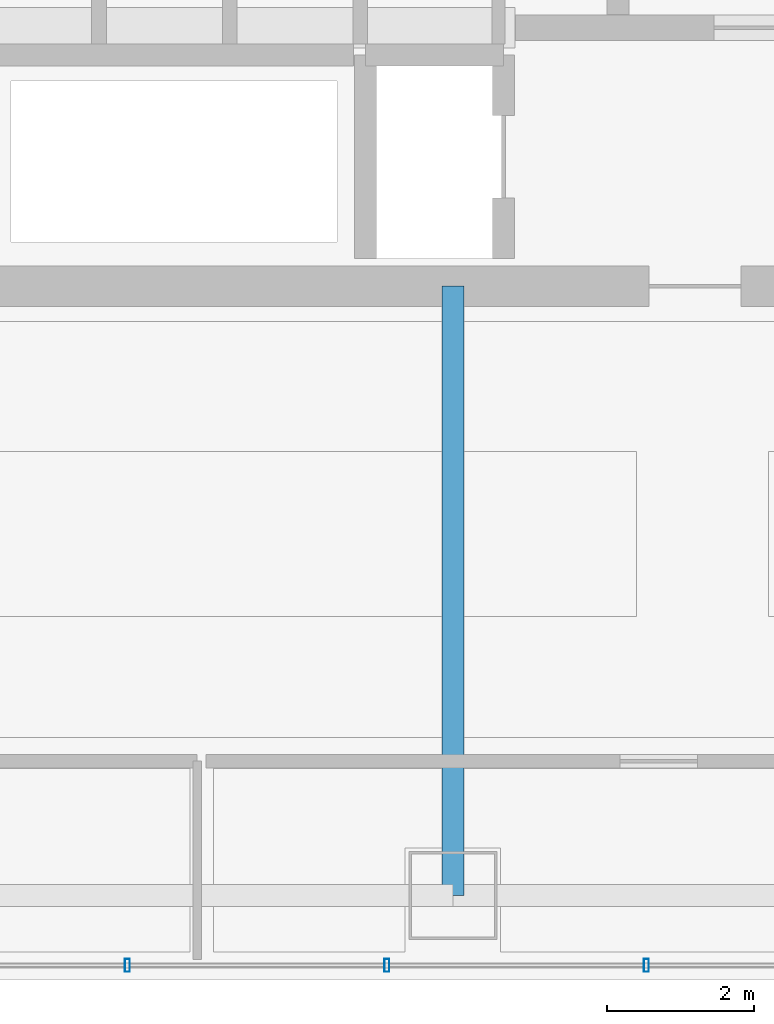
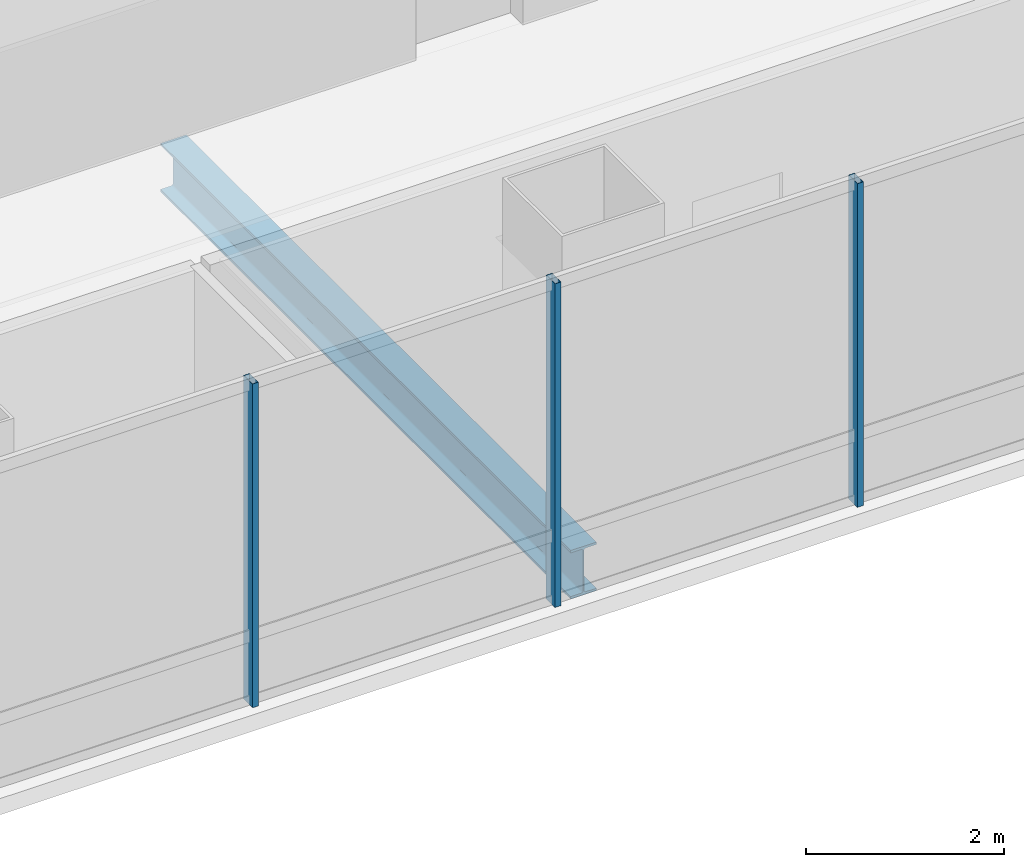
# One storey, part 9 of 41: 3 members, 1 beam, 1 element without a shape of its own.
"""IFC4 building model written with IfcOpenShell, lengths in metres."""

from ifc_helpers import new_model, si_unit, direction, frame, origin, origin_2d, place, context, subcontext, project, spatial, hollow_rectangle, i_section, extrude, material, material_profile, profile_set, type_object, element, aggregate, save


model = new_model("IFC4")

# Units and contexts
model_context = context("Model", 3, precision=1e-05, world=origin(), true_north=direction((0.0, 1.0)))
body_context = subcontext(model_context, "Body", "Model", "MODEL_VIEW")
ifc_project = project(units=[si_unit("LENGTHUNIT", "METRE"), si_unit("AREAUNIT", "SQUARE_METRE"), si_unit("VOLUMEUNIT", "CUBIC_METRE"), si_unit("PLANEANGLEUNIT", "RADIAN"), si_unit("MASSUNIT", "GRAM", prefix="KILO")], contexts=[model_context])

# Site, building, storey
site_placement = place(None, origin())
site = spatial("IfcSite", under=ifc_project, at=site_placement, CompositionType="ELEMENT")
building_placement = place(site_placement, origin())
building = spatial("IfcBuilding", under=site, at=building_placement, Name="Punatoya Terracotta Tower", CompositionType="ELEMENT")
storey_placement = place(building_placement, frame((0.0, 0.0, 288.0)))
storey = spatial("IfcBuildingStorey", under=building, at=storey_placement, Name="L68", CompositionType="ELEMENT", Elevation=288.0)

# Beam
ifc_material_1 = material(Name="Steel S355", Category="steel")
ifc_material_profile_1 = material_profile(ifc_material_1, i_section(OverallWidth=0.300048828125, OverallDepth=0.60009765625, WebThickness=0.015380859375, FlangeThickness=0.030029296875, FilletRadius=0.01806640625, at=origin_2d()))
ifc_profile_set_1 = profile_set([ifc_material_profile_1], Name="Steel S355")
beam_type = type_object("IfcBeamType", Name="BM-PRI-600", PredefinedType="BEAM", material=ifc_profile_set_1)
beam_placement = place(storey_placement, frame((3.800048828125, -17.5, -0.5), z_axis=(0.0, 1.0, 0.0), x_axis=(-1.0, 0.0, 0.0)))
element("IfcBeam", 1, at=beam_placement, inside=storey, type_object=beam_type, Name="BM-L68-PR-S3", PredefinedType="BEAM", context=body_context, shape_type="SweptSolid", body=[
    extrude(i_section(OverallWidth=0.300048828125, OverallDepth=0.60009765625, WebThickness=0.015380859375, FlangeThickness=0.030029296875, FilletRadius=0.01806640625, at=origin_2d()), origin(), (0.0, 0.0, 1.0), 8.300048828125),
])

# Curtain wall, members
ifc_material_2 = material(Name="Aluminium 6063-T6 + Double Low-E Glass", Category="aluminium")
curtain_wall_type = type_object("IfcCurtainWallType", Name="CW-M3", PredefinedType="NOTDEFINED", material=ifc_material_2)
curtain_wall_placement = place(storey_placement, origin())
curtain_wall = element("IfcCurtainWall", 2, at=curtain_wall_placement, inside=storey, type_object=curtain_wall_type, Name="L68 Curtain Wall CW-L68-S01-1", PredefinedType="NOTDEFINED")
ifc_material_3 = material(Name="Aluminium 6063-T6", Category="aluminium")
ifc_material_profile_2 = material_profile(ifc_material_3, hollow_rectangle(XDim=0.070068359375, YDim=0.179931640625, WallThickness=0.00390625, at=origin_2d()))
ifc_profile_set_2 = profile_set([ifc_material_profile_2], Name="Aluminium 6063-T6")
member_type = type_object("IfcMemberType", Name="CW-MUL-M3", PredefinedType="MULLION", material=ifc_profile_set_2)
member_1_placement = place(storey_placement, frame((-0.633056640625, -18.449951171875, 0.0), z_axis=(0.0, 0.0, 1.0), x_axis=(1.0, 0.0, 0.0)))
member_1 = element("IfcMember", 3, at=member_1_placement, type_object=member_type, Name="CW-L68-S01-1 Mullion 06", PredefinedType="MULLION", context=body_context, shape_type="SweptSolid", body=[
    extrude(hollow_rectangle(XDim=0.070068359375, YDim=0.179931640625, WallThickness=0.00390625, at=origin_2d()), origin(), (0.0, 0.0, 1.0), 4.0),
])
member_2_placement = place(storey_placement, frame((2.90087890625, -18.449951171875, 0.0), z_axis=(0.0, 0.0, 1.0), x_axis=(1.0, 0.0, 0.0)))
member_2 = element("IfcMember", 4, at=member_2_placement, type_object=member_type, Name="CW-L68-S01-1 Mullion 07", PredefinedType="MULLION", context=body_context, shape_type="SweptSolid", body=[
    extrude(hollow_rectangle(XDim=0.070068359375, YDim=0.179931640625, WallThickness=0.00390625, at=origin_2d()), origin(), (0.0, 0.0, 1.0), 4.0),
])
member_3_placement = place(storey_placement, frame((6.43505859375, -18.449951171875, 0.0), z_axis=(0.0, 0.0, 1.0), x_axis=(1.0, 0.0, 0.0)))
member_3 = element("IfcMember", 5, at=member_3_placement, type_object=member_type, Name="CW-L68-S01-1 Mullion 08", PredefinedType="MULLION", context=body_context, shape_type="SweptSolid", body=[
    extrude(hollow_rectangle(XDim=0.070068359375, YDim=0.179931640625, WallThickness=0.00390625, at=origin_2d()), origin(), (0.0, 0.0, 1.0), 4.0),
])
aggregate(curtain_wall, [member_1, member_2, member_3])

save(model, "model.ifc")
